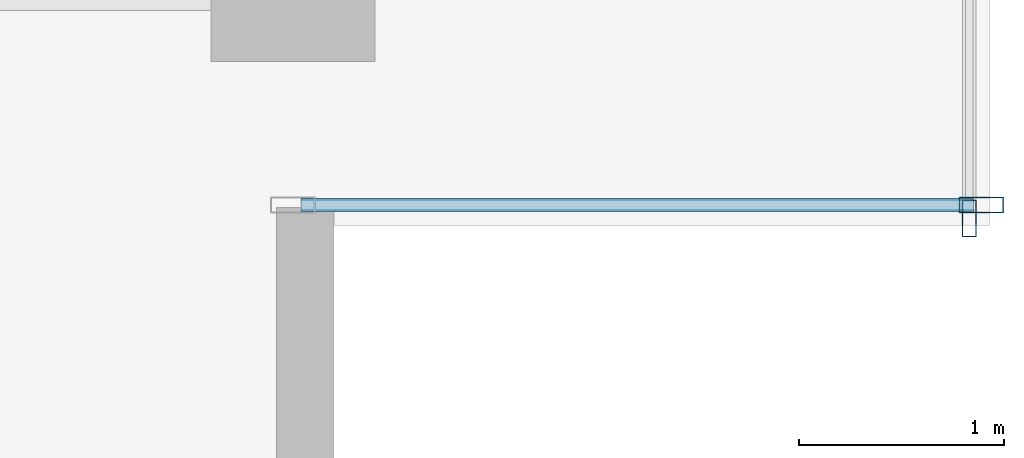
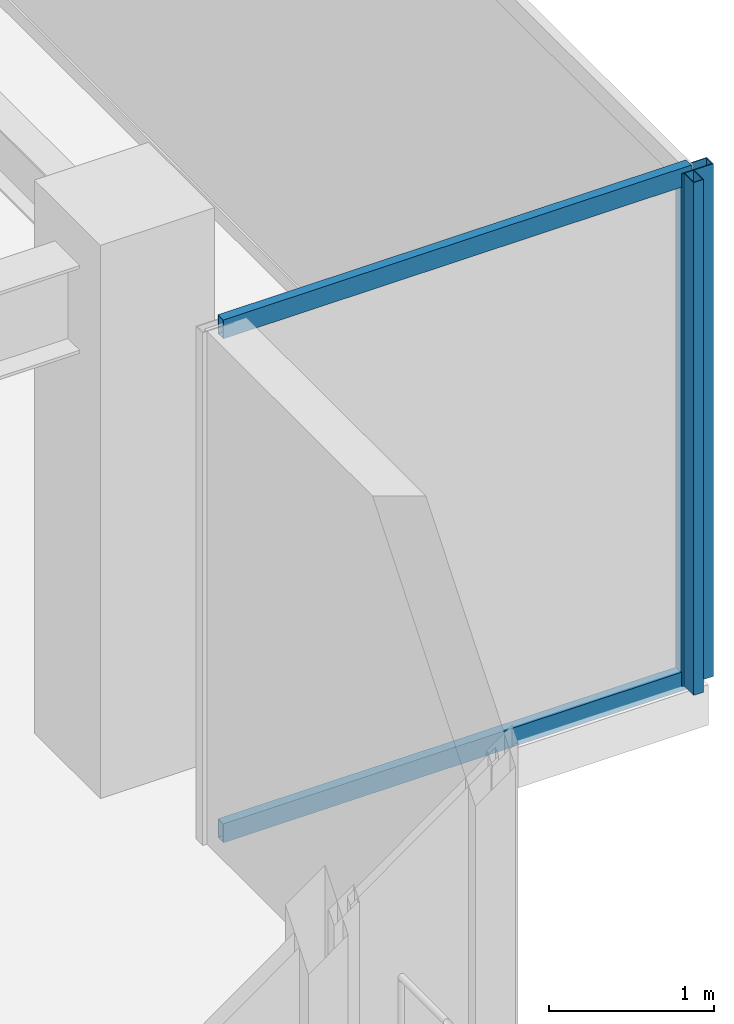
# One storey, part 22 of 34: 4 members, 2 elements without a shape of their own.
"""IFC4 building model written with IfcOpenShell, lengths in metres."""

from ifc_helpers import new_model, si_unit, direction, frame, origin, origin_2d, place, context, subcontext, project, spatial, hollow_rectangle, extrude, source, transform, mapped, material, layer, layer_set, material_profile, profile_set, type_object, type_shapes, element, aggregate, save


model = new_model("IFC4")

# Units and contexts
model_context = context("Model", 3, precision=1e-05, world=origin(), true_north=direction((0.0, 1.0)))
body_context = subcontext(model_context, "Body", "Model", "MODEL_VIEW")
ifc_project = project(units=[si_unit("LENGTHUNIT", "METRE"), si_unit("AREAUNIT", "SQUARE_METRE"), si_unit("VOLUMEUNIT", "CUBIC_METRE"), si_unit("PLANEANGLEUNIT", "RADIAN"), si_unit("MASSUNIT", "GRAM", prefix="KILO")], contexts=[model_context])

# Site, building, storey
site_placement = place(None, origin())
site = spatial("IfcSite", under=ifc_project, at=site_placement, CompositionType="ELEMENT")
building_placement = place(site_placement, origin())
building = spatial("IfcBuilding", under=site, at=building_placement, Name="Haelvirn Gate Laboratories", CompositionType="ELEMENT")
storey_placement = place(building_placement, frame((0.0, 0.0, 246.5)))
storey = spatial("IfcBuildingStorey", under=building, at=storey_placement, Name="L59", CompositionType="ELEMENT", Elevation=246.5)

# Curtain wall, members
ifc_material_1 = material(Name="Anodised bronze unitised aluminium & triple low-E glass", Category="aluminium")
ifc_layer_1 = layer(ifc_material_1, 0.181884765625, Name="CW-SYS-5")
ifc_layer_set_1 = layer_set([ifc_layer_1], Name="Anodised bronze unitised aluminium & triple low-E glass")
curtain_wall_type_1 = type_object("IfcCurtainWallType", Name="CW-SYS-5", PredefinedType="NOTDEFINED", material=ifc_layer_set_1)
curtain_wall_1_placement = place(storey_placement, origin())
curtain_wall_1 = element("IfcCurtainWall", 1, at=curtain_wall_1_placement, inside=storey, type_object=curtain_wall_type_1, Name="L59 Unitised Curtain Wall CW-L59-P0-E06-1", PredefinedType="NOTDEFINED")
ifc_material_2 = material(Name="Extruded aluminium 6063-T6 (anodised bronze)", Category="aluminium")
ifc_material_profile_1 = material_profile(ifc_material_2, hollow_rectangle(XDim=0.06494140625, YDim=0.139892578125, WallThickness=0.00390625, at=origin_2d()), Name="CWT-140x65x4")
ifc_profile_set_1 = profile_set([ifc_material_profile_1], Name="Extruded aluminium 6063-T6 (anodised bronze)")
member_type_1 = type_object("IfcMemberType", Name="CWT-T140", PredefinedType="USERDEFINED", material=ifc_profile_set_1)
shared_shape_1 = source(origin(), body_context, "Body", "SweptSolid", [
    extrude(hollow_rectangle(XDim=0.06494140625, YDim=0.139892578125, WallThickness=0.00390625, at=origin_2d()), origin(), (0.0, 0.0, 1.0), 3.280029296875),
])
type_shapes(member_type_1, [shared_shape_1])
member_1_placement = place(storey_placement, frame((67.43994140625, 5.89990234375, 0.032470703125), z_axis=(1.0, 0.0, 0.0), x_axis=(0.0, 1.0, 0.0)))
member_1 = element("IfcMember", 2, at=member_1_placement, type_object=member_type_1, Name="CW5 transom 1.1", ObjectType="TRANSOM", PredefinedType="USERDEFINED", context=body_context, shape_type="MappedRepresentation", body=[
    mapped(shared_shape_1, transform((0.0, 0.0, 0.0), scale=1.0)),
])
member_2_placement = place(storey_placement, frame((67.43994140625, 5.89990234375, 3.767578125), z_axis=(1.0, 0.0, 0.0), x_axis=(0.0, 1.0, 0.0)))
member_2 = element("IfcMember", 3, at=member_2_placement, type_object=member_type_1, Name="CW5 transom 1.2", ObjectType="TRANSOM", PredefinedType="USERDEFINED", context=body_context, shape_type="MappedRepresentation", body=[
    mapped(shared_shape_1, transform((0.0, 0.0, 0.0), scale=1.0)),
])

# Curtain wall, member
ifc_layer_2 = layer(ifc_material_1, 0.176025390625, Name="CW-SYS-4")
ifc_layer_set_2 = layer_set([ifc_layer_2], Name="Anodised bronze unitised aluminium & triple low-E glass")
curtain_wall_type_2 = type_object("IfcCurtainWallType", Name="CW-SYS-4", PredefinedType="NOTDEFINED", material=ifc_layer_set_2)
curtain_wall_2_placement = place(storey_placement, origin())
curtain_wall_2 = element("IfcCurtainWall", 4, at=curtain_wall_2_placement, inside=storey, type_object=curtain_wall_type_2, Name="L59 Unitised Curtain Wall CW-L59-P0-E07", PredefinedType="NOTDEFINED")
ifc_material_profile_2 = material_profile(ifc_material_2, hollow_rectangle(XDim=0.070068359375, YDim=0.179931640625, WallThickness=0.0048828125, at=origin_2d()), Name="CWM-180x70x5")
ifc_profile_set_2 = profile_set([ifc_material_profile_2], Name="Extruded aluminium 6063-T6 (anodised bronze)")
member_type_2 = type_object("IfcMemberType", Name="CWM-T180", PredefinedType="MULLION", material=ifc_profile_set_2)
shared_shape_2 = source(origin(), body_context, "Body", "SweptSolid", [
    extrude(hollow_rectangle(XDim=0.070068359375, YDim=0.179931640625, WallThickness=0.0048828125, at=origin_2d()), origin(), (0.0, 0.0, 1.0), 3.800048828125),
])
type_shapes(member_type_2, [shared_shape_2])
member_3_placement = place(storey_placement, frame((70.699951171875, 5.8349609375, 0.0), z_axis=(0.0, 0.0, 1.0), x_axis=(-1.0, 0.0, 0.0)))
member_3 = element("IfcMember", 5, at=member_3_placement, type_object=member_type_2, Name="CW4 mullion 1", PredefinedType="MULLION", context=body_context, shape_type="MappedRepresentation", body=[
    mapped(shared_shape_2, transform((0.0, 0.0, 0.0), scale=1.0)),
])
aggregate(curtain_wall_2, [member_3])

# Member
ifc_material_profile_3 = material_profile(ifc_material_2, hollow_rectangle(XDim=0.080078125, YDim=0.219970703125, WallThickness=0.006103515625, at=origin_2d()), Name="CWM-220x80x6")
ifc_profile_set_3 = profile_set([ifc_material_profile_3], Name="Extruded aluminium 6063-T6 (anodised bronze)")
member_type_3 = type_object("IfcMemberType", Name="CWM-T220", PredefinedType="MULLION", material=ifc_profile_set_3)
shared_shape_3 = source(origin(), body_context, "Body", "SweptSolid", [
    extrude(hollow_rectangle(XDim=0.080078125, YDim=0.219970703125, WallThickness=0.006103515625, at=origin_2d()), origin(), (0.0, 0.0, 1.0), 3.800048828125),
])
type_shapes(member_type_3, [shared_shape_3])
member_4_placement = place(storey_placement, frame((70.760009765625, 5.89990234375, 0.0), z_axis=(0.0, 0.0, 1.0), x_axis=(0.0, 1.0, 0.0)))
member_4 = element("IfcMember", 6, at=member_4_placement, type_object=member_type_3, Name="CW5 mullion 2", PredefinedType="MULLION", context=body_context, shape_type="MappedRepresentation", body=[
    mapped(shared_shape_3, transform((0.0, 0.0, 0.0), scale=1.0)),
])

aggregate(curtain_wall_1, [member_4, member_1, member_2])

save(model, "model.ifc")
